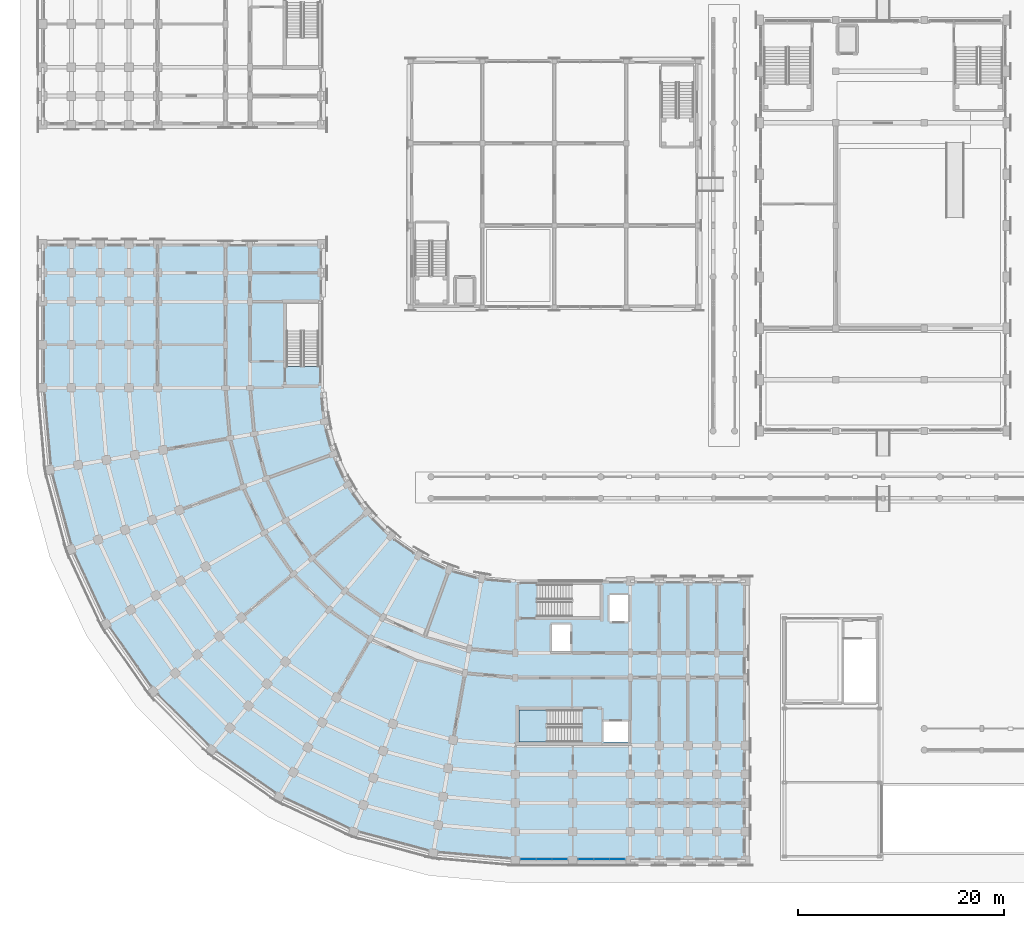
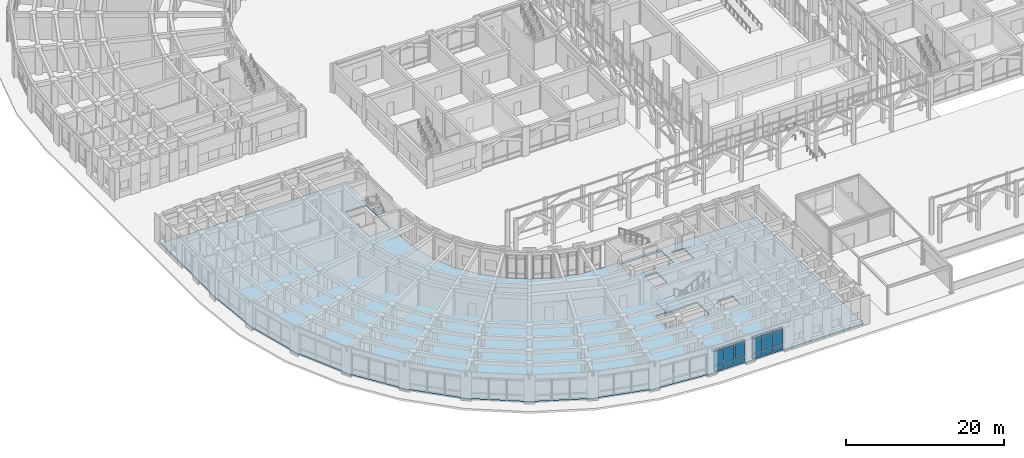
# One storey, part 58 of 135: 18 plates, 2 slabs, 3 elements without a shape of their own.
"""IFC4 building model written with IfcOpenShell, lengths in metres."""

from ifc_helpers import new_model, si_unit, direction, frame, origin, origin_2d, place, context, subcontext, project, spatial, polyline, rectangle, outline, extrude, material, layer, layer_set, type_object, element, aggregate, save


model = new_model("IFC4")

# Units and contexts
model_context = context("Model", 3, precision=1e-05, world=origin(), true_north=direction((0.0, 1.0)))
body_context = subcontext(model_context, "Body", "Model", "MODEL_VIEW")
ifc_project = project(units=[si_unit("LENGTHUNIT", "METRE"), si_unit("AREAUNIT", "SQUARE_METRE"), si_unit("VOLUMEUNIT", "CUBIC_METRE"), si_unit("PLANEANGLEUNIT", "RADIAN"), si_unit("MASSUNIT", "GRAM", prefix="KILO")], contexts=[model_context])

# Site, building, storey
site_placement = place(None, origin())
site = spatial("IfcSite", under=ifc_project, at=site_placement, CompositionType="ELEMENT")
building_placement = place(site_placement, origin())
building = spatial("IfcBuilding", under=site, at=building_placement, Name="Kiranvali Square Residences", CompositionType="ELEMENT")
storey_placement = place(building_placement, origin())
storey = spatial("IfcBuildingStorey", under=building, at=storey_placement, Name="L00", CompositionType="ELEMENT", Elevation=0.0)

# Curtain wall, plates
ifc_material_1 = material(Name="Anodised bronze aluminium framing", Category="aluminium")
curtain_wall_type = type_object("IfcCurtainWallType", Name="CW-RET-SHOP", PredefinedType="USERDEFINED", material=ifc_material_1)
curtain_wall_1_placement = place(storey_placement, origin())
curtain_wall_1 = element("IfcCurtainWall", 1, at=curtain_wall_1_placement, inside=storey, type_object=curtain_wall_type, Name="L00 curtain wall CW-C-L00-A1-0", ObjectType="CURTAIN WALL", PredefinedType="USERDEFINED")
ifc_material_2 = material(Name="Solar-control low-e double glazing", Category="glass")
ifc_layer_1 = layer(ifc_material_2, 0.028076171875)
ifc_layer_set_1 = layer_set([ifc_layer_1], Name="Solar-control low-e double glazing")
plate_type_1 = type_object("IfcPlateType", Name="PLT-CW-GLZ", PredefinedType="CURTAIN_PANEL", material=ifc_layer_set_1)
plate_1_placement = place(storey_placement, frame((49.486572265625, 2.320068359375, 0.89013671875), z_axis=(0.0, 0.0, 1.0), x_axis=(1.0, 0.0, 0.0)))
plate_1 = element("IfcPlate", 2, at=plate_1_placement, type_object=plate_type_1, Name="CW-C-L00-A1-0 glazed panel 1.2", PredefinedType="CURTAIN_PANEL", context=body_context, shape_type="SweptSolid", body=[
    extrude(rectangle(XDim=1.433349609375, YDim=0.028076171875, at=origin_2d()), origin(), (0.0, 0.0, 1.0), 2.169921875),
])
plate_2_placement = place(storey_placement, frame((49.486572265625, 2.320068359375, 3.14013671875), z_axis=(0.0, 0.0, 1.0), x_axis=(1.0, 0.0, 0.0)))
plate_2 = element("IfcPlate", 3, at=plate_2_placement, type_object=plate_type_1, Name="CW-C-L00-A1-0 glazed panel 1.3", PredefinedType="CURTAIN_PANEL", context=body_context, shape_type="SweptSolid", body=[
    extrude(rectangle(XDim=1.433349609375, YDim=0.028076171875, at=origin_2d()), origin(), (0.0, 0.0, 1.0), 0.429931640625),
])
plate_3_placement = place(storey_placement, frame((51.0, 2.320068359375, 0.89013671875), z_axis=(0.0, 0.0, 1.0), x_axis=(1.0, 0.0, 0.0)))
plate_3 = element("IfcPlate", 4, at=plate_3_placement, type_object=plate_type_1, Name="CW-C-L00-A1-0 glazed panel 2.2", PredefinedType="CURTAIN_PANEL", context=body_context, shape_type="SweptSolid", body=[
    extrude(rectangle(XDim=1.433349609375, YDim=0.028076171875, at=origin_2d()), origin(), (0.0, 0.0, 1.0), 2.169921875),
])
plate_4_placement = place(storey_placement, frame((51.0, 2.320068359375, 3.14013671875), z_axis=(0.0, 0.0, 1.0), x_axis=(1.0, 0.0, 0.0)))
plate_4 = element("IfcPlate", 5, at=plate_4_placement, type_object=plate_type_1, Name="CW-C-L00-A1-0 glazed panel 2.3", PredefinedType="CURTAIN_PANEL", context=body_context, shape_type="SweptSolid", body=[
    extrude(rectangle(XDim=1.433349609375, YDim=0.028076171875, at=origin_2d()), origin(), (0.0, 0.0, 1.0), 0.429931640625),
])
plate_5_placement = place(storey_placement, frame((52.513427734375, 2.320068359375, 0.89013671875), z_axis=(0.0, 0.0, 1.0), x_axis=(1.0, 0.0, 0.0)))
plate_5 = element("IfcPlate", 6, at=plate_5_placement, type_object=plate_type_1, Name="CW-C-L00-A1-0 glazed panel 3.2", PredefinedType="CURTAIN_PANEL", context=body_context, shape_type="SweptSolid", body=[
    extrude(rectangle(XDim=1.433349609375, YDim=0.028076171875, at=origin_2d()), origin(), (0.0, 0.0, 1.0), 2.169921875),
])
plate_6_placement = place(storey_placement, frame((52.513427734375, 2.320068359375, 3.14013671875), z_axis=(0.0, 0.0, 1.0), x_axis=(1.0, 0.0, 0.0)))
plate_6 = element("IfcPlate", 7, at=plate_6_placement, type_object=plate_type_1, Name="CW-C-L00-A1-0 glazed panel 3.3", PredefinedType="CURTAIN_PANEL", context=body_context, shape_type="SweptSolid", body=[
    extrude(rectangle(XDim=1.433349609375, YDim=0.028076171875, at=origin_2d()), origin(), (0.0, 0.0, 1.0), 0.429931640625),
])

curtain_wall_2_placement = place(storey_placement, origin())
curtain_wall_2 = element("IfcCurtainWall", 8, at=curtain_wall_2_placement, inside=storey, type_object=curtain_wall_type, Name="L00 curtain wall CW-C-L00-A1-1", ObjectType="CURTAIN WALL", PredefinedType="USERDEFINED")
plate_7_placement = place(storey_placement, frame((55.086669921875, 2.320068359375, 0.89013671875), z_axis=(0.0, 0.0, 1.0), x_axis=(1.0, 0.0, 0.0)))
plate_7 = element("IfcPlate", 9, at=plate_7_placement, type_object=plate_type_1, Name="CW-C-L00-A1-1 glazed panel 1.2", PredefinedType="CURTAIN_PANEL", context=body_context, shape_type="SweptSolid", body=[
    extrude(rectangle(XDim=1.433349609375, YDim=0.028076171875, at=origin_2d()), origin(), (0.0, 0.0, 1.0), 2.169921875),
])
plate_8_placement = place(storey_placement, frame((55.086669921875, 2.320068359375, 3.14013671875), z_axis=(0.0, 0.0, 1.0), x_axis=(1.0, 0.0, 0.0)))
plate_8 = element("IfcPlate", 10, at=plate_8_placement, type_object=plate_type_1, Name="CW-C-L00-A1-1 glazed panel 1.3", PredefinedType="CURTAIN_PANEL", context=body_context, shape_type="SweptSolid", body=[
    extrude(rectangle(XDim=1.433349609375, YDim=0.028076171875, at=origin_2d()), origin(), (0.0, 0.0, 1.0), 0.429931640625),
])
plate_9_placement = place(storey_placement, frame((56.60009765625, 2.320068359375, 0.89013671875), z_axis=(0.0, 0.0, 1.0), x_axis=(1.0, 0.0, 0.0)))
plate_9 = element("IfcPlate", 11, at=plate_9_placement, type_object=plate_type_1, Name="CW-C-L00-A1-1 glazed panel 2.2", PredefinedType="CURTAIN_PANEL", context=body_context, shape_type="SweptSolid", body=[
    extrude(rectangle(XDim=1.433349609375, YDim=0.028076171875, at=origin_2d()), origin(), (0.0, 0.0, 1.0), 2.169921875),
])
plate_10_placement = place(storey_placement, frame((56.60009765625, 2.320068359375, 3.14013671875), z_axis=(0.0, 0.0, 1.0), x_axis=(1.0, 0.0, 0.0)))
plate_10 = element("IfcPlate", 12, at=plate_10_placement, type_object=plate_type_1, Name="CW-C-L00-A1-1 glazed panel 2.3", PredefinedType="CURTAIN_PANEL", context=body_context, shape_type="SweptSolid", body=[
    extrude(rectangle(XDim=1.433349609375, YDim=0.028076171875, at=origin_2d()), origin(), (0.0, 0.0, 1.0), 0.429931640625),
])
plate_11_placement = place(storey_placement, frame((58.11328125, 2.320068359375, 0.89013671875), z_axis=(0.0, 0.0, 1.0), x_axis=(1.0, 0.0, 0.0)))
plate_11 = element("IfcPlate", 13, at=plate_11_placement, type_object=plate_type_1, Name="CW-C-L00-A1-1 glazed panel 3.2", PredefinedType="CURTAIN_PANEL", context=body_context, shape_type="SweptSolid", body=[
    extrude(rectangle(XDim=1.433349609375, YDim=0.028076171875, at=origin_2d()), origin(), (0.0, 0.0, 1.0), 2.169921875),
])
plate_12_placement = place(storey_placement, frame((58.11328125, 2.320068359375, 3.14013671875), z_axis=(0.0, 0.0, 1.0), x_axis=(1.0, 0.0, 0.0)))
plate_12 = element("IfcPlate", 14, at=plate_12_placement, type_object=plate_type_1, Name="CW-C-L00-A1-1 glazed panel 3.3", PredefinedType="CURTAIN_PANEL", context=body_context, shape_type="SweptSolid", body=[
    extrude(rectangle(XDim=1.433349609375, YDim=0.028076171875, at=origin_2d()), origin(), (0.0, 0.0, 1.0), 0.429931640625),
])

# Plate
ifc_material_3 = material(Name="Honed Porbandar limestone ashlar facade cladding", Category="masonry")
ifc_layer_2 = layer(ifc_material_3, 0.02392578125)
ifc_layer_set_2 = layer_set([ifc_layer_2], Name="Honed Porbandar limestone ashlar facade cladding")
plate_type_2 = type_object("IfcPlateType", Name="PLT-CW-SPN", PredefinedType="SHEET", material=ifc_layer_set_2)
plate_13_placement = place(storey_placement, frame((49.486572265625, 2.320068359375, 0.080078125), z_axis=(0.0, 0.0, 1.0), x_axis=(1.0, 0.0, 0.0)))
plate_13 = element("IfcPlate", 15, at=plate_13_placement, type_object=plate_type_2, Name="CW-C-L00-A1-0 spandrel panel 1.1", PredefinedType="SHEET", context=body_context, shape_type="SweptSolid", body=[
    extrude(rectangle(XDim=1.433349609375, YDim=0.02392578125, at=origin_2d()), origin(), (0.0, 0.0, 1.0), 0.72998046875),
])

plate_14_placement = place(storey_placement, frame((51.0, 2.320068359375, 0.080078125), z_axis=(0.0, 0.0, 1.0), x_axis=(1.0, 0.0, 0.0)))
plate_14 = element("IfcPlate", 16, at=plate_14_placement, type_object=plate_type_2, Name="CW-C-L00-A1-0 spandrel panel 2.1", PredefinedType="SHEET", context=body_context, shape_type="SweptSolid", body=[
    extrude(rectangle(XDim=1.433349609375, YDim=0.02392578125, at=origin_2d()), origin(), (0.0, 0.0, 1.0), 0.72998046875),
])

plate_15_placement = place(storey_placement, frame((52.513427734375, 2.320068359375, 0.080078125), z_axis=(0.0, 0.0, 1.0), x_axis=(1.0, 0.0, 0.0)))
plate_15 = element("IfcPlate", 17, at=plate_15_placement, type_object=plate_type_2, Name="CW-C-L00-A1-0 spandrel panel 3.1", PredefinedType="SHEET", context=body_context, shape_type="SweptSolid", body=[
    extrude(rectangle(XDim=1.433349609375, YDim=0.02392578125, at=origin_2d()), origin(), (0.0, 0.0, 1.0), 0.72998046875),
])

aggregate(curtain_wall_1, [plate_13, plate_1, plate_2, plate_14, plate_3, plate_4, plate_15, plate_5, plate_6])

plate_16_placement = place(storey_placement, frame((55.086669921875, 2.320068359375, 0.080078125), z_axis=(0.0, 0.0, 1.0), x_axis=(1.0, 0.0, 0.0)))
plate_16 = element("IfcPlate", 18, at=plate_16_placement, type_object=plate_type_2, Name="CW-C-L00-A1-1 spandrel panel 1.1", PredefinedType="SHEET", context=body_context, shape_type="SweptSolid", body=[
    extrude(rectangle(XDim=1.433349609375, YDim=0.02392578125, at=origin_2d()), origin(), (0.0, 0.0, 1.0), 0.72998046875),
])

plate_17_placement = place(storey_placement, frame((56.60009765625, 2.320068359375, 0.080078125), z_axis=(0.0, 0.0, 1.0), x_axis=(1.0, 0.0, 0.0)))
plate_17 = element("IfcPlate", 19, at=plate_17_placement, type_object=plate_type_2, Name="CW-C-L00-A1-1 spandrel panel 2.1", PredefinedType="SHEET", context=body_context, shape_type="SweptSolid", body=[
    extrude(rectangle(XDim=1.433349609375, YDim=0.02392578125, at=origin_2d()), origin(), (0.0, 0.0, 1.0), 0.72998046875),
])

plate_18_placement = place(storey_placement, frame((58.11328125, 2.320068359375, 0.080078125), z_axis=(0.0, 0.0, 1.0), x_axis=(1.0, 0.0, 0.0)))
plate_18 = element("IfcPlate", 20, at=plate_18_placement, type_object=plate_type_2, Name="CW-C-L00-A1-1 spandrel panel 3.1", PredefinedType="SHEET", context=body_context, shape_type="SweptSolid", body=[
    extrude(rectangle(XDim=1.433349609375, YDim=0.02392578125, at=origin_2d()), origin(), (0.0, 0.0, 1.0), 0.72998046875),
])

aggregate(curtain_wall_2, [plate_16, plate_7, plate_8, plate_17, plate_9, plate_10, plate_18, plate_11, plate_12])

# Slab
ifc_material_4 = material(Name="Concrete M35 (35 MPa)", Category="concrete")
ifc_layer_3 = layer(ifc_material_4, 0.219970703125)
ifc_layer_set_3 = layer_set([ifc_layer_3], Name="Concrete M35 (35 MPa)")
slab_type_1 = type_object("IfcSlabType", Name="SLB-FLR-220", PredefinedType="FLOOR", material=ifc_layer_set_3)
slab_1_placement = place(storey_placement, frame((0.0, 0.0, -0.219970703125)))
element("IfcSlab", 21, at=slab_1_placement, inside=storey, type_object=slab_type_1, Name="Block C L00 structural floor slab", PredefinedType="FLOOR", context=body_context, shape_type="SweptSolid", body=[
    extrude(outline(polyline([(48.199951171875, 29.39990234375), (44.935302734375, 29.685546875), (41.77001953125, 30.53369140625), (38.800048828125, 31.918701171875), (36.115478515625, 33.79833984375), (33.79833984375, 36.115478515625), (31.918701171875, 38.800048828125), (30.53369140625, 41.77001953125), (29.685546875, 44.935302734375), (29.39990234375, 48.199951171875), (29.39990234375, 62.199951171875), (2.199951171875, 62.199951171875), (2.199951171875, 48.199951171875), (2.89892578125, 40.212158203125), (4.97412109375, 32.467041015625), (8.36279296875, 25.199951171875), (12.9619140625, 18.6318359375), (18.6318359375, 12.9619140625), (25.199951171875, 8.36279296875), (32.467041015625, 4.97412109375), (40.212158203125, 2.89892578125), (48.199951171875, 2.199951171875), (70.60009765625, 2.199951171875), (70.60009765625, 29.39990234375), (48.199951171875, 29.39990234375)]), holes=[polyline([(56.800048828125, 13.75), (59.25, 13.75), (59.25, 15.75), (56.800048828125, 15.75), (56.800048828125, 13.75)]), polyline([(57.35009765625, 25.449951171875), (59.14990234375, 25.449951171875), (59.14990234375, 28.050048828125), (57.35009765625, 28.050048828125), (57.35009765625, 25.449951171875)]), polyline([(51.75, 22.550048828125), (53.550048828125, 22.550048828125), (53.550048828125, 25.14990234375), (51.75, 25.14990234375), (51.75, 22.550048828125)]), polyline([(54.699951171875, 16.85009765625), (48.550048828125, 16.85009765625), (48.550048828125, 13.75), (54.699951171875, 13.75), (54.699951171875, 16.85009765625)]), polyline([(50.300048828125, 25.949951171875), (56.449951171875, 25.949951171875), (56.449951171875, 29.050048828125), (50.300048828125, 29.050048828125), (50.300048828125, 25.949951171875)]), polyline([(29.050048828125, 50.300048828125), (29.050048828125, 56.449951171875), (25.949951171875, 56.449951171875), (25.949951171875, 50.300048828125), (29.050048828125, 50.300048828125)])]), origin(), (0.0, 0.0, 1.0), 0.219970703125),
])

# Stair, slab
stair_type = type_object("IfcStairType", Name="ST-CORE-1700", PredefinedType="HALF_TURN_STAIR", material=ifc_material_4)
stair_placement = place(storey_placement, origin())
stair = element("IfcStair", 22, at=stair_placement, inside=storey, type_object=stair_type, Name="L00 Block C Firefighting Exit Stair 1", PredefinedType="HALF_TURN_STAIR")
ifc_layer_4 = layer(ifc_material_4, 0.199951171875)
ifc_layer_set_4 = layer_set([ifc_layer_4], Name="Concrete M35 (35 MPa)")
slab_type_2 = type_object("IfcSlabType", Name="SLB-LND-200", PredefinedType="LANDING", material=ifc_layer_set_4)
slab_2_placement = place(storey_placement, frame((0.0, 0.0, 2.050048828125)))
slab_2 = element("IfcSlab", 23, at=slab_2_placement, type_object=slab_type_2, Name="ST-C1 landing 1", PredefinedType="LANDING", context=body_context, shape_type="SweptSolid", body=[
    extrude(outline(polyline([(51.280029296875, 16.85009765625), (48.550048828125, 16.85009765625), (48.550048828125, 13.75), (51.280029296875, 13.75), (51.280029296875, 16.85009765625)])), origin(), (0.0, 0.0, 1.0), 0.199951171875),
])
aggregate(stair, [slab_2])

save(model, "model.ifc")
